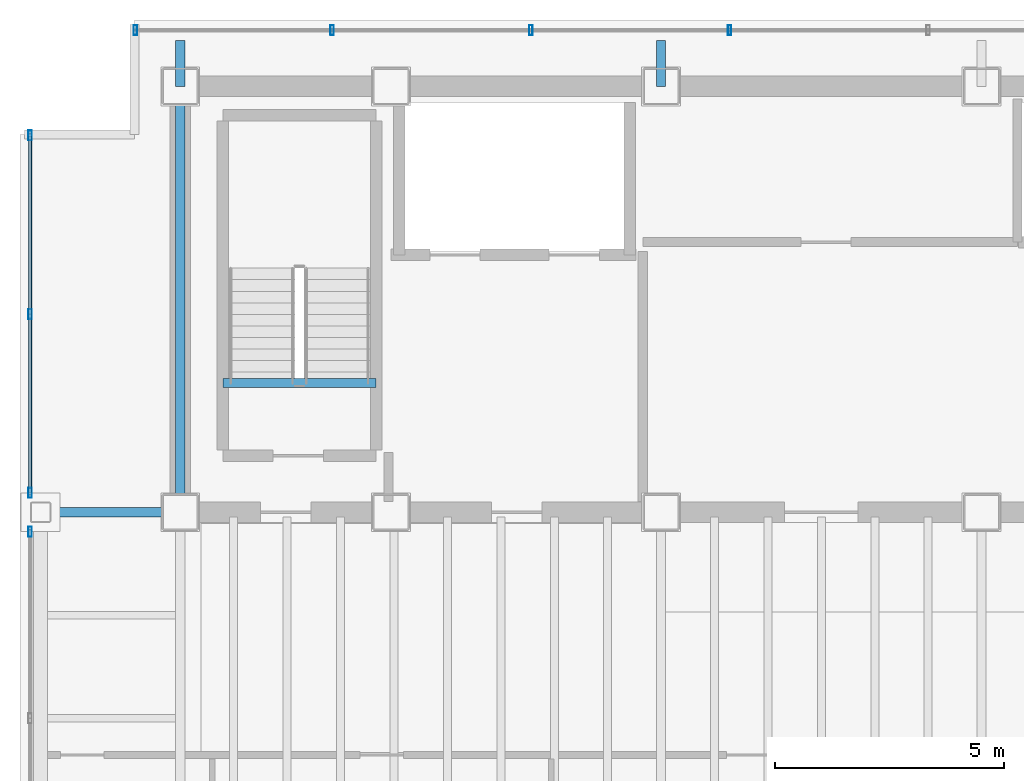
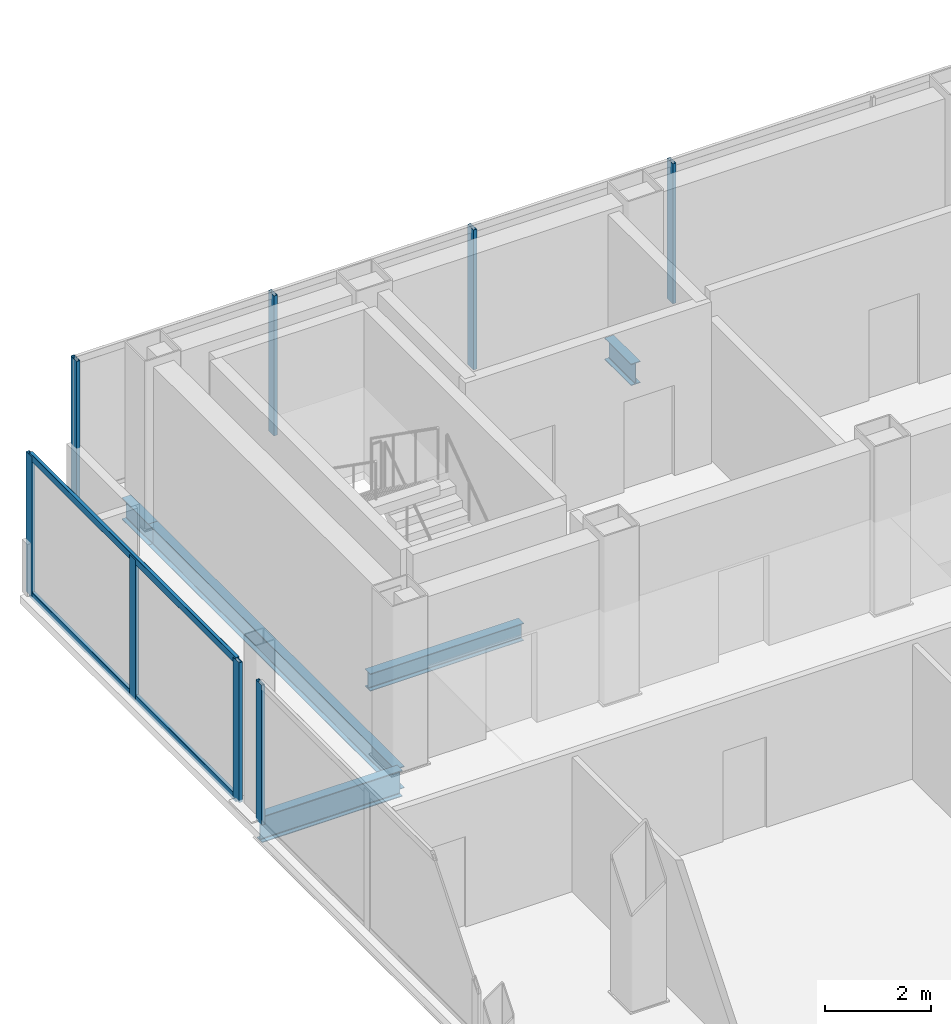
# One storey, part 6 of 15: 10 members, 5 beams, 3 elements without a shape of their own.
"""IFC4 building model written with IfcOpenShell, lengths in metres."""

import ifcopenshell
import ifcopenshell.guid

model = None  # the IFC model being written
_history = None  # IfcOwnerHistory: only IFC2X3 demands one
_inside = {}  # id of a spatial element -> (the spatial element, [elements in it])
_under = {}  # id of a project, library or spatial element -> (it, [spatial elements below it])
_declared = {}  # id of a project -> (the project, [libraries it declares])
_typed = {}  # id of a type object -> (the type object, [elements of that type])
_made_of = {}  # id of a material, layer set ... -> (it, [elements and type objects made of it])


def new_model(schema):
    """Start an empty IFC model of exactly this schema.

    Asked for "IFC4X3", IfcOpenShell would pick the latest addendum, in which some entities
    have other attributes; the version numbers below select the first issue.
    IFC2X3 requires an IfcOwnerHistory on every rooted entity: one is made here for all.
    """
    global model, _history
    if schema == "IFC4X3":
        model = ifcopenshell.file(schema_version=(4, 3, 0, 0))
    else:
        model = ifcopenshell.file(schema=schema)
    _inside.clear()
    _under.clear()
    _declared.clear()
    _typed.clear()
    _made_of.clear()
    _history = None
    if model.schema == "IFC2X3":
        org = make("IfcOrganization", Name="unknown")
        user = make(
            "IfcPersonAndOrganization",
            ThePerson=make("IfcPerson", FamilyName="unknown"),
            TheOrganization=org,
        )
        app = make(
            "IfcApplication",
            ApplicationDeveloper=org,
            Version="unknown",
            ApplicationFullName="unknown",
            ApplicationIdentifier="unknown",
        )
        _history = make(
            "IfcOwnerHistory",
            OwningUser=user,
            OwningApplication=app,
            ChangeAction="ADDED",
            CreationDate=0,
        )
    return model


def make(cls, **values):
    """One entity of the class cls with the attributes given. An attribute that is None is left unset."""
    return model.create_entity(
        cls, **{name: value for name, value in values.items() if value is not None}
    )


def rooted(cls, **values):
    """An entity with a GlobalId (a new one), such as an element, a storey or a relation."""
    return make(cls, GlobalId=ifcopenshell.guid.new(), OwnerHistory=_history, **values)


def si_unit(unit_type, name, prefix=None):
    """IfcSIUnit, for example si_unit("LENGTHUNIT", "METRE", prefix="MILLI")."""
    return make("IfcSIUnit", UnitType=unit_type, Prefix=prefix, Name=name)


def assignment(units):
    """IfcUnitAssignment: the units of a project."""
    return None if units is None else make("IfcUnitAssignment", Units=units)


def point(xyz):
    """IfcCartesianPoint."""
    return None if xyz is None else make("IfcCartesianPoint", Coordinates=xyz)


def direction(xyz):
    """IfcDirection."""
    return None if xyz is None else make("IfcDirection", DirectionRatios=xyz)


def frame(location, z_axis=None, x_axis=None):
    """IfcAxis2Placement3D, a coordinate frame: its origin and axes. An axis left out is left unset."""
    return make(
        "IfcAxis2Placement3D",
        Location=point(location),
        Axis=direction(z_axis),
        RefDirection=direction(x_axis),
    )


def frame_2d(location, x_axis=None):
    """IfcAxis2Placement2D, a coordinate frame in the plane: its origin and x axis."""
    return make(
        "IfcAxis2Placement2D", Location=point(location), RefDirection=direction(x_axis)
    )


def origin():
    """The frame at (0, 0, 0) with its axes left unset."""
    return frame((0.0, 0.0, 0.0))


def origin_2d():
    """The frame at (0, 0) in the plane with its x axis left unset."""
    return frame_2d((0.0, 0.0))


def place(relative_to, where):
    """IfcLocalPlacement: puts the frame where relative to a parent placement (None: the world)."""
    return make(
        "IfcLocalPlacement", PlacementRelTo=relative_to, RelativePlacement=where
    )


def context(
    kind, dimensions, precision=None, world=None, true_north=None, identifier=None
):
    """IfcGeometricRepresentationContext, for example the 3D "Model" context."""
    return make(
        "IfcGeometricRepresentationContext",
        ContextIdentifier=identifier,
        ContextType=kind,
        CoordinateSpaceDimension=dimensions,
        Precision=precision,
        WorldCoordinateSystem=world,
        TrueNorth=true_north,
    )


def subcontext(parent, identifier, kind, view, scale=None):
    """IfcGeometricRepresentationSubContext, for example "Body" below "Model"."""
    return make(
        "IfcGeometricRepresentationSubContext",
        ContextIdentifier=identifier,
        ContextType=kind,
        ParentContext=parent,
        TargetScale=scale,
        TargetView=view,
    )


def project(units=None, contexts=None):
    """IfcProject with its units and contexts."""
    return rooted(
        "IfcProject",
        Name="project",
        RepresentationContexts=contexts,
        UnitsInContext=assignment(units),
    )


def spatial(cls, under=None, at=None, **own):
    """A site, building, storey or space (cls), placed at a placement, below another one or the project."""
    s = rooted(cls, ObjectPlacement=at, **own)
    if under is not None:
        _under.setdefault(under.id(), (under, []))[1].append(s)
    return s


def profile(cls, at=None, kind="AREA", **sizes):
    """A parametric profile (cls). Its sizes go by their IFC names, for example OverallWidth=200.0."""
    return make(cls, ProfileType=kind, Position=at, **sizes)


def hollow_rectangle(**sizes):
    """IfcRectangleHollowProfileDef."""
    return profile("IfcRectangleHollowProfileDef", **sizes)


def i_section(**sizes):
    """IfcIShapeProfileDef."""
    return profile("IfcIShapeProfileDef", **sizes)


def extrude(swept, where, along, depth):
    """IfcExtrudedAreaSolid: the profile swept, set in the frame where, extruded along a direction by depth."""
    return make(
        "IfcExtrudedAreaSolid",
        SweptArea=swept,
        Position=where,
        ExtrudedDirection=direction(along),
        Depth=depth,
    )


def shape(context_of_items, identifier, shape_type, items):
    """IfcShapeRepresentation: the items that make up one representation, for example the "Body"."""
    return make(
        "IfcShapeRepresentation",
        ContextOfItems=context_of_items,
        RepresentationIdentifier=identifier,
        RepresentationType=shape_type,
        Items=items,
    )


def material(Name=None, Category=None):
    """IfcMaterial."""
    return make("IfcMaterial", Name=Name, Category=Category)


def material_profile(
    of_material, cross_section, Name=None, Category=None, Priority=None
):
    """IfcMaterialProfile: a cross section and its material."""
    return make(
        "IfcMaterialProfile",
        Name=Name,
        Material=of_material,
        Profile=cross_section,
        Priority=Priority,
        Category=Category,
    )


def profile_set(profiles, Name=None, composite=None):
    """IfcMaterialProfileSet."""
    return make(
        "IfcMaterialProfileSet",
        Name=Name,
        MaterialProfiles=profiles,
        CompositeProfile=composite,
    )


def made_of(thing, what):
    """Note that an element or type object is made of a material, layer set ...; save() writes the relation."""
    if what is not None:
        _made_of.setdefault(what.id(), (what, []))[1].append(thing)
    return thing


def type_object(cls, material=None, **own):
    """A type object (cls), such as IfcWallType, which elements share."""
    return made_of(rooted(cls, **own), material)


def element(
    cls,
    number,
    at=None,
    inside=None,
    cuts=None,
    type_object=None,
    material=None,
    context=None,
    identifier="Body",
    shape_type=None,
    held_by="IfcProductDefinitionShape",
    body=None,
    shapes=None,
    **own,
):
    """One element of the class cls, such as IfcWall. Its Tag is "e" and its number.

    at: its placement. inside: the storey or other place that contains it. cuts: it is an
    opening in that element (IfcRelVoidsElement). A single representation is given by context,
    identifier, shape_type and body (its items); several are given by shapes. held_by: the class
    of the entity that holds the representations. save() writes the other relations.
    """
    e = rooted(cls, Tag="e%d" % number, ObjectPlacement=at, **own)
    if body is not None:
        shapes = [shape(context, identifier, shape_type, body)]
    if shapes is not None:
        e.Representation = make(held_by, Representations=shapes)
    if inside is not None:
        _inside.setdefault(inside.id(), (inside, []))[1].append(e)
    if cuts is not None:
        rooted(
            "IfcRelVoidsElement", RelatingBuildingElement=cuts, RelatedOpeningElement=e
        )
    if type_object is not None:
        _typed.setdefault(type_object.id(), (type_object, []))[1].append(e)
    return made_of(e, material)


def aggregate(whole, parts):
    """IfcRelAggregates: a whole, such as a stair, and the parts it consists of."""
    return rooted("IfcRelAggregates", RelatingObject=whole, RelatedObjects=parts)


def save(model, path):
    """Write the relations noted so far, then the file.

    IfcRelAggregates (storeys below a building ...), IfcRelContainedInSpatialStructure (elements
    in a storey), IfcRelDefinesByType, IfcRelAssociatesMaterial and IfcRelDeclares: one each for
    every whole, place, type object, material and project.
    """
    for whole, parts in _under.values():
        aggregate(whole, parts)
    for where, things in _inside.values():
        rooted(
            "IfcRelContainedInSpatialStructure",
            RelatedElements=things,
            RelatingStructure=where,
        )
    for kind, things in _typed.values():
        rooted("IfcRelDefinesByType", RelatedObjects=things, RelatingType=kind)
    for what, things in _made_of.values():
        rooted("IfcRelAssociatesMaterial", RelatedObjects=things, RelatingMaterial=what)
    for by, libraries in _declared.values():
        rooted("IfcRelDeclares", RelatingContext=by, RelatedDefinitions=libraries)
    model.write(path)


model = new_model("IFC4")

# Units and contexts
model_context = context("Model", 3, precision=1e-05, world=origin(), true_north=direction((0.0, 1.0)))
body_context = subcontext(model_context, "Body", "Model", "MODEL_VIEW")
ifc_project = project(units=[si_unit("LENGTHUNIT", "METRE"), si_unit("AREAUNIT", "SQUARE_METRE"), si_unit("VOLUMEUNIT", "CUBIC_METRE"), si_unit("PLANEANGLEUNIT", "RADIAN"), si_unit("MASSUNIT", "GRAM", prefix="KILO")], contexts=[model_context])

# Site, building, storey
site_placement = place(None, origin())
site = spatial("IfcSite", under=ifc_project, at=site_placement, CompositionType="ELEMENT")
building_placement = place(site_placement, origin())
building = spatial("IfcBuilding", under=site, at=building_placement, Name="Noeulbin Bourse Tower", CompositionType="ELEMENT")
storey_placement = place(building_placement, frame((0.0, 0.0, 211.10009765625)))
storey = spatial("IfcBuildingStorey", under=building, at=storey_placement, Name="L52", CompositionType="ELEMENT", Elevation=211.10009765625)

# Beams
ifc_material_1 = material(Name="Steel S355", Category="steel")
ifc_material_profile_1 = material_profile(ifc_material_1, i_section(OverallWidth=0.199951171875, OverallDepth=0.5, WebThickness=0.010009765625, FlangeThickness=0.01611328125, FilletRadius=0.02001953125, at=origin_2d()), Name="H-500x200x10x16", Category="LoadBearing")
ifc_profile_set_1 = profile_set([ifc_material_profile_1], Name="Steel S355")
beam_type_1 = type_object("IfcBeamType", Name="BM-GRD-500", PredefinedType="USERDEFINED", material=ifc_profile_set_1)
beam_1_placement = place(storey_placement, frame((13.5, 29.0, -0.43017578125), z_axis=(0.0, 1.0, 0.0), x_axis=(-1.0, 0.0, 0.0)))
element("IfcBeam", 1, at=beam_1_placement, inside=storey, type_object=beam_type_1, Name="Tower Primary Girder NS L52-1.3", ObjectType="GIRDER", PredefinedType="USERDEFINED", context=body_context, shape_type="SweptSolid", body=[
    extrude(i_section(OverallWidth=0.199951171875, OverallDepth=0.5, WebThickness=0.010009765625, FlangeThickness=0.01611328125, FilletRadius=0.02001953125, at=origin_2d()), origin(), (0.0, 0.0, 1.0), 9.300048828125),
])
for number, where, z_axis, x_axis, name in (
    (2, (13.5, 38.300048828125, -0.43017578125), (0.0, 1.0, 0.0), (-1.0, 0.0, 0.0), "Tower Primary Girder NS L52-1.4"),
    (3, (24.0, 38.300048828125, -0.43017578125), (0.0, 1.0, 0.0), (-1.0, 0.0, 0.0), "Tower Primary Girder NS L52-2.4"),
):
    element("IfcBeam", number, at=place(storey_placement, frame(where, z_axis=z_axis, x_axis=x_axis)), inside=storey, type_object=beam_type_1, Name=name, ObjectType="GIRDER", PredefinedType="USERDEFINED", context=body_context, shape_type="SweptSolid", body=[
        extrude(i_section(OverallWidth=0.199951171875, OverallDepth=0.5, WebThickness=0.010009765625, FlangeThickness=0.01611328125, FilletRadius=0.02001953125, at=origin_2d()), origin(), (0.0, 0.0, 1.0), 1.0),
    ])
ifc_material_profile_2 = material_profile(ifc_material_1, i_section(OverallWidth=0.199951171875, OverallDepth=0.60009765625, WebThickness=0.010986328125, FlangeThickness=0.01708984375, FilletRadius=0.02197265625, at=origin_2d()), Name="H-600x200x11x17", Category="LoadBearing")
ifc_profile_set_2 = profile_set([ifc_material_profile_2], Name="Steel S355")
beam_type_2 = type_object("IfcBeamType", Name="BM-GRD-600", PredefinedType="USERDEFINED", material=ifc_profile_set_2)
beam_2_placement = place(storey_placement, frame((10.449951171875, 29.0, -0.47998046875), z_axis=(1.0, 0.0, 0.0), x_axis=(0.0, 1.0, 0.0)))
element("IfcBeam", 4, at=beam_2_placement, inside=storey, type_object=beam_type_2, Name="Tower Primary Girder EW L52-2.1", ObjectType="GIRDER", PredefinedType="USERDEFINED", context=body_context, shape_type="SweptSolid", body=[
    extrude(i_section(OverallWidth=0.199951171875, OverallDepth=0.60009765625, WebThickness=0.010986328125, FlangeThickness=0.01708984375, FilletRadius=0.02197265625, at=origin_2d()), origin(), (0.0, 0.0, 1.0), 3.050048828125),
])
ifc_material_profile_3 = material_profile(ifc_material_1, i_section(OverallWidth=0.199951171875, OverallDepth=0.39990234375, WebThickness=0.008056640625, FlangeThickness=0.012939453125, FilletRadius=0.01611328125, at=origin_2d()), Name="H-400x200x8x13", Category="LoadBearing")
ifc_profile_set_3 = profile_set([ifc_material_profile_3], Name="Steel S355")
beam_type_3 = type_object("IfcBeamType", Name="BM-SEC-400", PredefinedType="BEAM", material=ifc_profile_set_3)
beam_3_placement = place(storey_placement, frame((14.429931640625, 31.820068359375, -0.2001953125), z_axis=(1.0, 0.0, 0.0), x_axis=(0.0, 1.0, 0.0)))
element("IfcBeam", 5, at=beam_3_placement, inside=storey, type_object=beam_type_3, Name="Stair Threshold Trimmer Beam ST1-L52", PredefinedType="BEAM", context=body_context, shape_type="SweptSolid", body=[
    extrude(i_section(OverallWidth=0.199951171875, OverallDepth=0.39990234375, WebThickness=0.008056640625, FlangeThickness=0.012939453125, FilletRadius=0.01611328125, at=origin_2d()), origin(), (0.0, 0.0, 1.0), 3.340087890625),
])

# Curtain wall, members
ifc_material_2 = material(Name="High-Selectivity Low-Iron Glazing", Category="glass")
curtain_wall_type = type_object("IfcCurtainWallType", Name="CW-SYS-4", PredefinedType="NOTDEFINED", material=ifc_material_2)
curtain_wall_1_placement = place(storey_placement, origin())
curtain_wall_1 = element("IfcCurtainWall", 6, at=curtain_wall_1_placement, inside=storey, type_object=curtain_wall_type, Name="Unitised Curtain Wall CW-L52-N", PredefinedType="NOTDEFINED")
ifc_material_3 = material(Name="Anodised Aluminium 6063-T6", Category="aluminium")
ifc_material_profile_4 = material_profile(ifc_material_3, hollow_rectangle(XDim=0.074951171875, YDim=0.219970703125, WallThickness=0.0048828125, InnerFilletRadius=0.00244140625, OuterFilletRadius=0.0048828125, at=origin_2d()), Name="ALU-MULL-75x220x5", Category="LoadBearing")
ifc_profile_set_4 = profile_set([ifc_material_profile_4], Name="Anodised Aluminium 6063-T6")
member_type_1 = type_object("IfcMemberType", Name="CW-SYS-4-MUL", PredefinedType="MULLION", material=ifc_profile_set_4)
member_1_placement = place(storey_placement, frame((12.52001953125, 39.530029296875, -0.02001953125), z_axis=(0.0, 0.0, 1.0), x_axis=(1.0, 0.0, 0.0)))
member_1 = element("IfcMember", 7, at=member_1_placement, type_object=member_type_1, Name="Curtain Wall Mullion CW-L52-N-M00", PredefinedType="MULLION", context=body_context, shape_type="SweptSolid", body=[
    extrude(hollow_rectangle(XDim=0.074951171875, YDim=0.219970703125, WallThickness=0.0048828125, InnerFilletRadius=0.00244140625, OuterFilletRadius=0.0048828125, at=origin_2d()), origin(), (0.0, 0.0, 1.0), 3.219970703125),
])
member_2_placement = place(storey_placement, frame((16.81787109375, 39.530029296875, -0.02001953125), z_axis=(0.0, 0.0, 1.0), x_axis=(1.0, 0.0, 0.0)))
member_2 = element("IfcMember", 8, at=member_2_placement, type_object=member_type_1, Name="Curtain Wall Mullion CW-L52-N-M01", PredefinedType="MULLION", context=body_context, shape_type="SweptSolid", body=[
    extrude(hollow_rectangle(XDim=0.074951171875, YDim=0.219970703125, WallThickness=0.0048828125, InnerFilletRadius=0.00244140625, OuterFilletRadius=0.0048828125, at=origin_2d()), origin(), (0.0, 0.0, 1.0), 3.219970703125),
])
member_3_placement = place(storey_placement, frame((21.155517578125, 39.530029296875, -0.02001953125), z_axis=(0.0, 0.0, 1.0), x_axis=(1.0, 0.0, 0.0)))
member_3 = element("IfcMember", 9, at=member_3_placement, type_object=member_type_1, Name="Curtain Wall Mullion CW-L52-N-M02", PredefinedType="MULLION", context=body_context, shape_type="SweptSolid", body=[
    extrude(hollow_rectangle(XDim=0.074951171875, YDim=0.219970703125, WallThickness=0.0048828125, InnerFilletRadius=0.00244140625, OuterFilletRadius=0.0048828125, at=origin_2d()), origin(), (0.0, 0.0, 1.0), 3.219970703125),
])
member_4_placement = place(storey_placement, frame((25.493408203125, 39.530029296875, -0.02001953125), z_axis=(0.0, 0.0, 1.0), x_axis=(1.0, 0.0, 0.0)))
member_4 = element("IfcMember", 10, at=member_4_placement, type_object=member_type_1, Name="Curtain Wall Mullion CW-L52-N-M03", PredefinedType="MULLION", context=body_context, shape_type="SweptSolid", body=[
    extrude(hollow_rectangle(XDim=0.074951171875, YDim=0.219970703125, WallThickness=0.0048828125, InnerFilletRadius=0.00244140625, OuterFilletRadius=0.0048828125, at=origin_2d()), origin(), (0.0, 0.0, 1.0), 3.219970703125),
])
aggregate(curtain_wall_1, [member_1, member_2, member_3, member_4])

# Curtain wall, member
curtain_wall_2_placement = place(storey_placement, origin())
curtain_wall_2 = element("IfcCurtainWall", 11, at=curtain_wall_2_placement, inside=storey, type_object=curtain_wall_type, Name="Unitised Curtain Wall CW-L52-W-S2", PredefinedType="NOTDEFINED")
member_5_placement = place(storey_placement, frame((10.219970703125, 28.574951171875, -0.02001953125), z_axis=(0.0, 0.0, 1.0), x_axis=(1.0, 0.0, 0.0)))
member_5 = element("IfcMember", 12, at=member_5_placement, type_object=member_type_1, Name="Curtain Wall Mullion CW-L52-W-S2-M02", PredefinedType="MULLION", context=body_context, shape_type="SweptSolid", body=[
    extrude(hollow_rectangle(XDim=0.074951171875, YDim=0.219970703125, WallThickness=0.0048828125, InnerFilletRadius=0.00244140625, OuterFilletRadius=0.0048828125, at=origin_2d()), origin(), (0.0, 0.0, 1.0), 3.219970703125),
])
aggregate(curtain_wall_2, [member_5])

# Curtain wall, members
curtain_wall_3_placement = place(storey_placement, origin())
curtain_wall_3 = element("IfcCurtainWall", 13, at=curtain_wall_3_placement, inside=storey, type_object=curtain_wall_type, Name="Unitised Curtain Wall CW-L52-W-S3", PredefinedType="NOTDEFINED")
member_6_placement = place(storey_placement, frame((10.219970703125, 29.425048828125, -0.02001953125), z_axis=(0.0, 0.0, 1.0), x_axis=(1.0, 0.0, 0.0)))
member_6 = element("IfcMember", 14, at=member_6_placement, type_object=member_type_1, Name="Curtain Wall Mullion CW-L52-W-S3-M00", PredefinedType="MULLION", context=body_context, shape_type="SweptSolid", body=[
    extrude(hollow_rectangle(XDim=0.074951171875, YDim=0.219970703125, WallThickness=0.0048828125, InnerFilletRadius=0.00244140625, OuterFilletRadius=0.0048828125, at=origin_2d()), origin(), (0.0, 0.0, 1.0), 3.219970703125),
])
member_7_placement = place(storey_placement, frame((10.219970703125, 33.327392578125, -0.02001953125), z_axis=(0.0, 0.0, 1.0), x_axis=(1.0, 0.0, 0.0)))
member_7 = element("IfcMember", 15, at=member_7_placement, type_object=member_type_1, Name="Curtain Wall Mullion CW-L52-W-S3-M01", PredefinedType="MULLION", context=body_context, shape_type="SweptSolid", body=[
    extrude(hollow_rectangle(XDim=0.074951171875, YDim=0.219970703125, WallThickness=0.0048828125, InnerFilletRadius=0.00244140625, OuterFilletRadius=0.0048828125, at=origin_2d()), origin(), (0.0, 0.0, 1.0), 3.219970703125),
])
member_8_placement = place(storey_placement, frame((10.219970703125, 37.22998046875, -0.02001953125), z_axis=(0.0, 0.0, 1.0), x_axis=(1.0, 0.0, 0.0)))
member_8 = element("IfcMember", 16, at=member_8_placement, type_object=member_type_1, Name="Curtain Wall Mullion CW-L52-W-S3-M02", PredefinedType="MULLION", context=body_context, shape_type="SweptSolid", body=[
    extrude(hollow_rectangle(XDim=0.074951171875, YDim=0.219970703125, WallThickness=0.0048828125, InnerFilletRadius=0.00244140625, OuterFilletRadius=0.0048828125, at=origin_2d()), origin(), (0.0, 0.0, 1.0), 3.219970703125),
])
ifc_material_profile_5 = material_profile(ifc_material_3, hollow_rectangle(XDim=0.074951171875, YDim=0.159912109375, WallThickness=0.0048828125, InnerFilletRadius=0.00244140625, OuterFilletRadius=0.0048828125, at=origin_2d()), Name="ALU-TRAN-75x160x5", Category="LoadBearing")
ifc_profile_set_5 = profile_set([ifc_material_profile_5], Name="Anodised Aluminium 6063-T6")
member_type_2 = type_object("IfcMemberType", Name="CW-SYS-4-TRN", PredefinedType="USERDEFINED", material=ifc_profile_set_5)
member_9_placement = place(storey_placement, frame((10.219970703125, 29.43505859375, 0.010009765625), z_axis=(0.0, 1.0, 0.0), x_axis=(-1.0, 0.0, 0.0)))
member_9 = element("IfcMember", 17, at=member_9_placement, type_object=member_type_2, Name="Curtain Wall Transom CW-L52-W-S3-T00", ObjectType="TRANSOM", PredefinedType="USERDEFINED", context=body_context, shape_type="SweptSolid", body=[
    extrude(hollow_rectangle(XDim=0.074951171875, YDim=0.159912109375, WallThickness=0.0048828125, InnerFilletRadius=0.00244140625, OuterFilletRadius=0.0048828125, at=origin_2d()), origin(), (0.0, 0.0, 1.0), 7.784912109375),
])
member_10_placement = place(storey_placement, frame((10.219970703125, 29.43505859375, 3.169921875), z_axis=(0.0, 1.0, 0.0), x_axis=(-1.0, 0.0, 0.0)))
member_10 = element("IfcMember", 18, at=member_10_placement, type_object=member_type_2, Name="Curtain Wall Transom CW-L52-W-S3-T01", ObjectType="TRANSOM", PredefinedType="USERDEFINED", context=body_context, shape_type="SweptSolid", body=[
    extrude(hollow_rectangle(XDim=0.074951171875, YDim=0.159912109375, WallThickness=0.0048828125, InnerFilletRadius=0.00244140625, OuterFilletRadius=0.0048828125, at=origin_2d()), origin(), (0.0, 0.0, 1.0), 7.784912109375),
])
aggregate(curtain_wall_3, [member_6, member_7, member_8, member_9, member_10])

save(model, "model.ifc")
